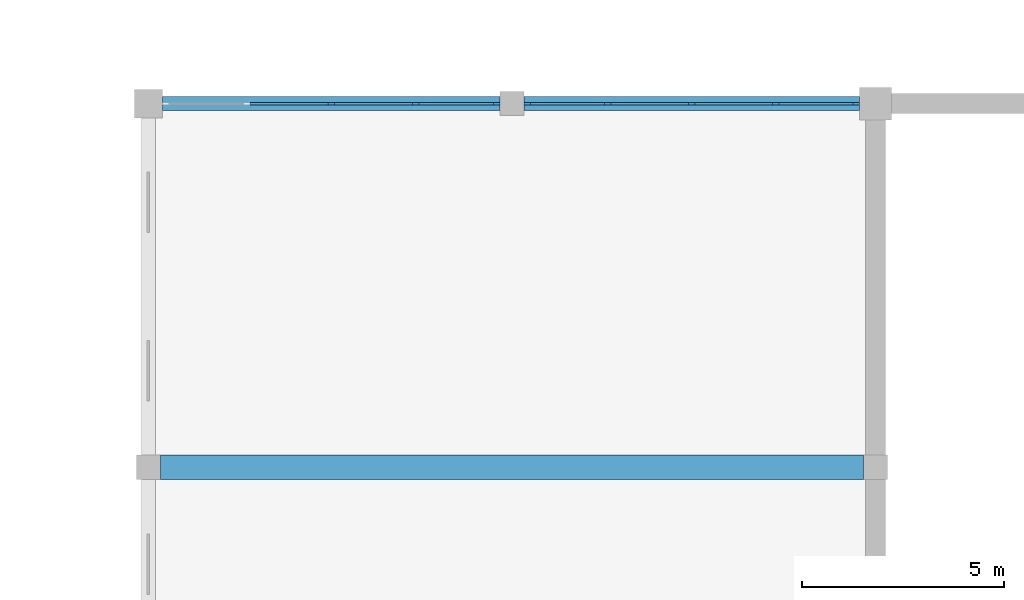
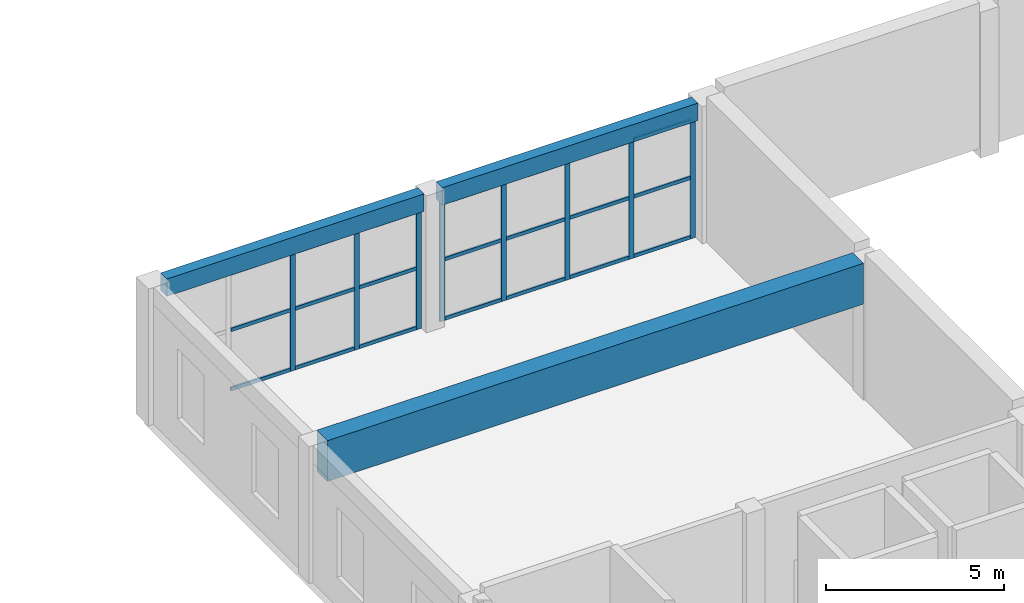
# One storey, part 10 of 34: 29 members, 3 beams, 2 elements without a shape of their own.
"""IFC4 building model written with IfcOpenShell, lengths in metres."""

from ifc_helpers import new_model, si_unit, direction, frame, origin, origin_2d, place, context, subcontext, project, spatial, rectangle, extrude, material, material_profile, profile_set, type_object, element, aggregate, save


model = new_model("IFC4")

# Units and contexts
model_context = context("Model", 3, precision=1e-05, world=origin(), true_north=direction((0.0, 1.0)))
body_context = subcontext(model_context, "Body", "Model", "MODEL_VIEW")
ifc_project = project(units=[si_unit("LENGTHUNIT", "METRE"), si_unit("AREAUNIT", "SQUARE_METRE"), si_unit("VOLUMEUNIT", "CUBIC_METRE"), si_unit("PLANEANGLEUNIT", "RADIAN"), si_unit("MASSUNIT", "GRAM", prefix="KILO")], contexts=[model_context])

# Site, building, storey
site_placement = place(None, origin())
site = spatial("IfcSite", under=ifc_project, at=site_placement, CompositionType="ELEMENT")
building_placement = place(site_placement, origin())
building = spatial("IfcBuilding", under=site, at=building_placement, Name="Firuza Court", CompositionType="ELEMENT")
storey_placement = place(building_placement, frame((0.0, 0.0, 14.0)))
storey = spatial("IfcBuildingStorey", under=building, at=storey_placement, Name="L02", CompositionType="ELEMENT", Elevation=14.0)

# Curtain wall, members
ifc_material_1 = material(Name="Aluminium", Category="aluminium")
curtain_wall_type = type_object("IfcCurtainWallType", Name="CW6 FOYER CURTAIN WALL", PredefinedType="NOTDEFINED", material=ifc_material_1)
curtain_wall_1_placement = place(storey_placement, origin())
curtain_wall_1 = element("IfcCurtainWall", 1, at=curtain_wall_1_placement, inside=storey, type_object=curtain_wall_type, Name="CW6 foyer curtain wall 7", PredefinedType="NOTDEFINED")
ifc_material_2 = material(Name="Aluminium", Category="aluminium")
ifc_material_profile_1 = material_profile(ifc_material_2, rectangle(XDim=0.06005859375, YDim=0.159912109375, at=origin_2d()), Name="MULLION 60X160")
ifc_profile_set_1 = profile_set([ifc_material_profile_1], Name="Aluminium")
member_type_1 = type_object("IfcMemberType", Name="CW6 MULLION 60X160", PredefinedType="MULLION", material=ifc_profile_set_1)
member_1_placement = place(storey_placement, frame((94.52490234375, 45.0, 0.0), z_axis=(0.0, 0.0, 1.0), x_axis=(0.0, 1.0, 0.0)))
member_1 = element("IfcMember", 2, at=member_1_placement, type_object=member_type_1, Name="CW6 mullion 3", PredefinedType="MULLION", context=body_context, shape_type="SweptSolid", body=[
    extrude(rectangle(XDim=0.06005859375, YDim=0.159912109375, at=origin_2d()), origin(), (0.0, 0.0, 1.0), 4.10009765625),
])
member_2_placement = place(storey_placement, frame((96.612548828125, 45.0, 0.0), z_axis=(0.0, 0.0, 1.0), x_axis=(0.0, 1.0, 0.0)))
member_2 = element("IfcMember", 3, at=member_2_placement, type_object=member_type_1, Name="CW6 mullion 4", PredefinedType="MULLION", context=body_context, shape_type="SweptSolid", body=[
    extrude(rectangle(XDim=0.06005859375, YDim=0.159912109375, at=origin_2d()), origin(), (0.0, 0.0, 1.0), 4.10009765625),
])
member_3_placement = place(storey_placement, frame((98.6201171875, 45.0, 0.0), z_axis=(0.0, 0.0, 1.0), x_axis=(0.0, 1.0, 0.0)))
member_3 = element("IfcMember", 4, at=member_3_placement, type_object=member_type_1, Name="CW6 mullion 5", PredefinedType="MULLION", context=body_context, shape_type="SweptSolid", body=[
    extrude(rectangle(XDim=0.06005859375, YDim=0.159912109375, at=origin_2d()), origin(), (0.0, 0.0, 1.0), 4.10009765625),
])

curtain_wall_2_placement = place(storey_placement, origin())
curtain_wall_2 = element("IfcCurtainWall", 5, at=curtain_wall_2_placement, inside=storey, type_object=curtain_wall_type, Name="CW6 foyer curtain wall 8", PredefinedType="NOTDEFINED")
member_4_placement = place(storey_placement, frame((99.3798828125, 45.0, 0.0), z_axis=(0.0, 0.0, 1.0), x_axis=(0.0, 1.0, 0.0)))
member_4 = element("IfcMember", 6, at=member_4_placement, type_object=member_type_1, Name="CW6 mullion 1", PredefinedType="MULLION", context=body_context, shape_type="SweptSolid", body=[
    extrude(rectangle(XDim=0.06005859375, YDim=0.159912109375, at=origin_2d()), origin(), (0.0, 0.0, 1.0), 4.10009765625),
])
member_5_placement = place(storey_placement, frame((101.375, 45.0, 0.0), z_axis=(0.0, 0.0, 1.0), x_axis=(0.0, 1.0, 0.0)))
member_5 = element("IfcMember", 7, at=member_5_placement, type_object=member_type_1, Name="CW6 mullion 2", PredefinedType="MULLION", context=body_context, shape_type="SweptSolid", body=[
    extrude(rectangle(XDim=0.06005859375, YDim=0.159912109375, at=origin_2d()), origin(), (0.0, 0.0, 1.0), 4.10009765625),
])
member_6_placement = place(storey_placement, frame((103.449951171875, 45.0, 0.0), z_axis=(0.0, 0.0, 1.0), x_axis=(0.0, 1.0, 0.0)))
member_6 = element("IfcMember", 8, at=member_6_placement, type_object=member_type_1, Name="CW6 mullion 3", PredefinedType="MULLION", context=body_context, shape_type="SweptSolid", body=[
    extrude(rectangle(XDim=0.06005859375, YDim=0.159912109375, at=origin_2d()), origin(), (0.0, 0.0, 1.0), 4.10009765625),
])
member_7_placement = place(storey_placement, frame((105.52490234375, 45.0, 0.0), z_axis=(0.0, 0.0, 1.0), x_axis=(0.0, 1.0, 0.0)))
member_7 = element("IfcMember", 9, at=member_7_placement, type_object=member_type_1, Name="CW6 mullion 4", PredefinedType="MULLION", context=body_context, shape_type="SweptSolid", body=[
    extrude(rectangle(XDim=0.06005859375, YDim=0.159912109375, at=origin_2d()), origin(), (0.0, 0.0, 1.0), 4.10009765625),
])
member_8_placement = place(storey_placement, frame((107.52001953125, 45.0, 0.0), z_axis=(0.0, 0.0, 1.0), x_axis=(0.0, 1.0, 0.0)))
member_8 = element("IfcMember", 10, at=member_8_placement, type_object=member_type_1, Name="CW6 mullion 5", PredefinedType="MULLION", context=body_context, shape_type="SweptSolid", body=[
    extrude(rectangle(XDim=0.06005859375, YDim=0.159912109375, at=origin_2d()), origin(), (0.0, 0.0, 1.0), 4.10009765625),
])

# Member
ifc_material_3 = material(Name="Aluminium", Category="aluminium")
ifc_material_profile_2 = material_profile(ifc_material_3, rectangle(XDim=0.06005859375, YDim=0.1201171875, at=origin_2d()), Name="TRANSOM 60X120")
ifc_profile_set_2 = profile_set([ifc_material_profile_2], Name="Aluminium")
member_type_2 = type_object("IfcMemberType", Name="CW6 TRANSOM 60X120", PredefinedType="USERDEFINED", material=ifc_profile_set_2)
member_9_placement = place(storey_placement, frame((92.517578125, 45.0, 0.06005859375), z_axis=(1.0, 0.0, 0.0), x_axis=(0.0, 1.0, 0.0)))
member_9 = element("IfcMember", 11, at=member_9_placement, type_object=member_type_2, Name="CW6 transom 2.1", ObjectType="TRANSOM", PredefinedType="USERDEFINED", context=body_context, shape_type="SweptSolid", body=[
    extrude(rectangle(XDim=0.06005859375, YDim=0.1201171875, at=origin_2d()), origin(), (0.0, 0.0, 1.0), 1.927490234375),
])

member_10_placement = place(storey_placement, frame((92.517578125, 45.0, 2.10009765625), z_axis=(1.0, 0.0, 0.0), x_axis=(0.0, 1.0, 0.0)))
member_10 = element("IfcMember", 12, at=member_10_placement, type_object=member_type_2, Name="CW6 transom 2.2", ObjectType="TRANSOM", PredefinedType="USERDEFINED", context=body_context, shape_type="SweptSolid", body=[
    extrude(rectangle(XDim=0.06005859375, YDim=0.1201171875, at=origin_2d()), origin(), (0.0, 0.0, 1.0), 1.927490234375),
])

member_11_placement = place(storey_placement, frame((92.517578125, 45.0, 4.0400390625), z_axis=(1.0, 0.0, 0.0), x_axis=(0.0, 1.0, 0.0)))
member_11 = element("IfcMember", 13, at=member_11_placement, type_object=member_type_2, Name="CW6 transom 2.3", ObjectType="TRANSOM", PredefinedType="USERDEFINED", context=body_context, shape_type="SweptSolid", body=[
    extrude(rectangle(XDim=0.06005859375, YDim=0.1201171875, at=origin_2d()), origin(), (0.0, 0.0, 1.0), 1.927490234375),
])

member_12_placement = place(storey_placement, frame((94.60498046875, 45.0, 0.06005859375), z_axis=(1.0, 0.0, 0.0), x_axis=(0.0, 1.0, 0.0)))
member_12 = element("IfcMember", 14, at=member_12_placement, type_object=member_type_2, Name="CW6 transom 3.1", ObjectType="TRANSOM", PredefinedType="USERDEFINED", context=body_context, shape_type="SweptSolid", body=[
    extrude(rectangle(XDim=0.06005859375, YDim=0.1201171875, at=origin_2d()), origin(), (0.0, 0.0, 1.0), 1.927490234375),
])

member_13_placement = place(storey_placement, frame((94.60498046875, 45.0, 2.10009765625), z_axis=(1.0, 0.0, 0.0), x_axis=(0.0, 1.0, 0.0)))
member_13 = element("IfcMember", 15, at=member_13_placement, type_object=member_type_2, Name="CW6 transom 3.2", ObjectType="TRANSOM", PredefinedType="USERDEFINED", context=body_context, shape_type="SweptSolid", body=[
    extrude(rectangle(XDim=0.06005859375, YDim=0.1201171875, at=origin_2d()), origin(), (0.0, 0.0, 1.0), 1.927490234375),
])

member_14_placement = place(storey_placement, frame((94.60498046875, 45.0, 4.0400390625), z_axis=(1.0, 0.0, 0.0), x_axis=(0.0, 1.0, 0.0)))
member_14 = element("IfcMember", 16, at=member_14_placement, type_object=member_type_2, Name="CW6 transom 3.3", ObjectType="TRANSOM", PredefinedType="USERDEFINED", context=body_context, shape_type="SweptSolid", body=[
    extrude(rectangle(XDim=0.06005859375, YDim=0.1201171875, at=origin_2d()), origin(), (0.0, 0.0, 1.0), 1.927490234375),
])

member_15_placement = place(storey_placement, frame((96.6923828125, 45.0, 0.06005859375), z_axis=(1.0, 0.0, 0.0), x_axis=(0.0, 1.0, 0.0)))
member_15 = element("IfcMember", 17, at=member_15_placement, type_object=member_type_2, Name="CW6 transom 4.1", ObjectType="TRANSOM", PredefinedType="USERDEFINED", context=body_context, shape_type="SweptSolid", body=[
    extrude(rectangle(XDim=0.06005859375, YDim=0.1201171875, at=origin_2d()), origin(), (0.0, 0.0, 1.0), 1.84765625),
])

member_16_placement = place(storey_placement, frame((96.6923828125, 45.0, 2.10009765625), z_axis=(1.0, 0.0, 0.0), x_axis=(0.0, 1.0, 0.0)))
member_16 = element("IfcMember", 18, at=member_16_placement, type_object=member_type_2, Name="CW6 transom 4.2", ObjectType="TRANSOM", PredefinedType="USERDEFINED", context=body_context, shape_type="SweptSolid", body=[
    extrude(rectangle(XDim=0.06005859375, YDim=0.1201171875, at=origin_2d()), origin(), (0.0, 0.0, 1.0), 1.84765625),
])

member_17_placement = place(storey_placement, frame((96.6923828125, 45.0, 4.0400390625), z_axis=(1.0, 0.0, 0.0), x_axis=(0.0, 1.0, 0.0)))
member_17 = element("IfcMember", 19, at=member_17_placement, type_object=member_type_2, Name="CW6 transom 4.3", ObjectType="TRANSOM", PredefinedType="USERDEFINED", context=body_context, shape_type="SweptSolid", body=[
    extrude(rectangle(XDim=0.06005859375, YDim=0.1201171875, at=origin_2d()), origin(), (0.0, 0.0, 1.0), 1.84765625),
])

aggregate(curtain_wall_1, [member_1, member_2, member_3, member_9, member_10, member_11, member_12, member_13, member_14, member_15, member_16, member_17])

member_18_placement = place(storey_placement, frame((99.4599609375, 45.0, 0.06005859375), z_axis=(1.0, 0.0, 0.0), x_axis=(0.0, 1.0, 0.0)))
member_18 = element("IfcMember", 20, at=member_18_placement, type_object=member_type_2, Name="CW6 transom 1.1", ObjectType="TRANSOM", PredefinedType="USERDEFINED", context=body_context, shape_type="SweptSolid", body=[
    extrude(rectangle(XDim=0.06005859375, YDim=0.1201171875, at=origin_2d()), origin(), (0.0, 0.0, 1.0), 1.8349609375),
])

member_19_placement = place(storey_placement, frame((99.4599609375, 45.0, 2.10009765625), z_axis=(1.0, 0.0, 0.0), x_axis=(0.0, 1.0, 0.0)))
member_19 = element("IfcMember", 21, at=member_19_placement, type_object=member_type_2, Name="CW6 transom 1.2", ObjectType="TRANSOM", PredefinedType="USERDEFINED", context=body_context, shape_type="SweptSolid", body=[
    extrude(rectangle(XDim=0.06005859375, YDim=0.1201171875, at=origin_2d()), origin(), (0.0, 0.0, 1.0), 1.8349609375),
])

member_20_placement = place(storey_placement, frame((99.4599609375, 45.0, 4.0400390625), z_axis=(1.0, 0.0, 0.0), x_axis=(0.0, 1.0, 0.0)))
member_20 = element("IfcMember", 22, at=member_20_placement, type_object=member_type_2, Name="CW6 transom 1.3", ObjectType="TRANSOM", PredefinedType="USERDEFINED", context=body_context, shape_type="SweptSolid", body=[
    extrude(rectangle(XDim=0.06005859375, YDim=0.1201171875, at=origin_2d()), origin(), (0.0, 0.0, 1.0), 1.8349609375),
])

member_21_placement = place(storey_placement, frame((101.455078125, 45.0, 0.06005859375), z_axis=(1.0, 0.0, 0.0), x_axis=(0.0, 1.0, 0.0)))
member_21 = element("IfcMember", 23, at=member_21_placement, type_object=member_type_2, Name="CW6 transom 2.1", ObjectType="TRANSOM", PredefinedType="USERDEFINED", context=body_context, shape_type="SweptSolid", body=[
    extrude(rectangle(XDim=0.06005859375, YDim=0.1201171875, at=origin_2d()), origin(), (0.0, 0.0, 1.0), 1.9150390625),
])

member_22_placement = place(storey_placement, frame((101.455078125, 45.0, 2.10009765625), z_axis=(1.0, 0.0, 0.0), x_axis=(0.0, 1.0, 0.0)))
member_22 = element("IfcMember", 24, at=member_22_placement, type_object=member_type_2, Name="CW6 transom 2.2", ObjectType="TRANSOM", PredefinedType="USERDEFINED", context=body_context, shape_type="SweptSolid", body=[
    extrude(rectangle(XDim=0.06005859375, YDim=0.1201171875, at=origin_2d()), origin(), (0.0, 0.0, 1.0), 1.9150390625),
])

member_23_placement = place(storey_placement, frame((101.455078125, 45.0, 4.0400390625), z_axis=(1.0, 0.0, 0.0), x_axis=(0.0, 1.0, 0.0)))
member_23 = element("IfcMember", 25, at=member_23_placement, type_object=member_type_2, Name="CW6 transom 2.3", ObjectType="TRANSOM", PredefinedType="USERDEFINED", context=body_context, shape_type="SweptSolid", body=[
    extrude(rectangle(XDim=0.06005859375, YDim=0.1201171875, at=origin_2d()), origin(), (0.0, 0.0, 1.0), 1.9150390625),
])

member_24_placement = place(storey_placement, frame((103.530029296875, 45.0, 0.06005859375), z_axis=(1.0, 0.0, 0.0), x_axis=(0.0, 1.0, 0.0)))
member_24 = element("IfcMember", 26, at=member_24_placement, type_object=member_type_2, Name="CW6 transom 3.1", ObjectType="TRANSOM", PredefinedType="USERDEFINED", context=body_context, shape_type="SweptSolid", body=[
    extrude(rectangle(XDim=0.06005859375, YDim=0.1201171875, at=origin_2d()), origin(), (0.0, 0.0, 1.0), 1.9150390625),
])

member_25_placement = place(storey_placement, frame((103.530029296875, 45.0, 2.10009765625), z_axis=(1.0, 0.0, 0.0), x_axis=(0.0, 1.0, 0.0)))
member_25 = element("IfcMember", 27, at=member_25_placement, type_object=member_type_2, Name="CW6 transom 3.2", ObjectType="TRANSOM", PredefinedType="USERDEFINED", context=body_context, shape_type="SweptSolid", body=[
    extrude(rectangle(XDim=0.06005859375, YDim=0.1201171875, at=origin_2d()), origin(), (0.0, 0.0, 1.0), 1.9150390625),
])

member_26_placement = place(storey_placement, frame((103.530029296875, 45.0, 4.0400390625), z_axis=(1.0, 0.0, 0.0), x_axis=(0.0, 1.0, 0.0)))
member_26 = element("IfcMember", 28, at=member_26_placement, type_object=member_type_2, Name="CW6 transom 3.3", ObjectType="TRANSOM", PredefinedType="USERDEFINED", context=body_context, shape_type="SweptSolid", body=[
    extrude(rectangle(XDim=0.06005859375, YDim=0.1201171875, at=origin_2d()), origin(), (0.0, 0.0, 1.0), 1.9150390625),
])

member_27_placement = place(storey_placement, frame((105.60498046875, 45.0, 0.06005859375), z_axis=(1.0, 0.0, 0.0), x_axis=(0.0, 1.0, 0.0)))
member_27 = element("IfcMember", 29, at=member_27_placement, type_object=member_type_2, Name="CW6 transom 4.1", ObjectType="TRANSOM", PredefinedType="USERDEFINED", context=body_context, shape_type="SweptSolid", body=[
    extrude(rectangle(XDim=0.06005859375, YDim=0.1201171875, at=origin_2d()), origin(), (0.0, 0.0, 1.0), 1.8349609375),
])

member_28_placement = place(storey_placement, frame((105.60498046875, 45.0, 2.10009765625), z_axis=(1.0, 0.0, 0.0), x_axis=(0.0, 1.0, 0.0)))
member_28 = element("IfcMember", 30, at=member_28_placement, type_object=member_type_2, Name="CW6 transom 4.2", ObjectType="TRANSOM", PredefinedType="USERDEFINED", context=body_context, shape_type="SweptSolid", body=[
    extrude(rectangle(XDim=0.06005859375, YDim=0.1201171875, at=origin_2d()), origin(), (0.0, 0.0, 1.0), 1.8349609375),
])

member_29_placement = place(storey_placement, frame((105.60498046875, 45.0, 4.0400390625), z_axis=(1.0, 0.0, 0.0), x_axis=(0.0, 1.0, 0.0)))
member_29 = element("IfcMember", 31, at=member_29_placement, type_object=member_type_2, Name="CW6 transom 4.3", ObjectType="TRANSOM", PredefinedType="USERDEFINED", context=body_context, shape_type="SweptSolid", body=[
    extrude(rectangle(XDim=0.06005859375, YDim=0.1201171875, at=origin_2d()), origin(), (0.0, 0.0, 1.0), 1.8349609375),
])

aggregate(curtain_wall_2, [member_4, member_5, member_6, member_7, member_8, member_18, member_19, member_20, member_21, member_22, member_23, member_24, member_25, member_26, member_27, member_28, member_29])

# Beams
ifc_material_4 = material(Name="Concrete C40/50", Category="concrete")
ifc_material_profile_3 = material_profile(ifc_material_4, rectangle(XDim=0.60009765625, YDim=1.39990234375, at=origin_2d()), Name="RC 600X1400")
ifc_profile_set_3 = profile_set([ifc_material_profile_3], Name="Concrete C40/50")
beam_type_1 = type_object("IfcBeamType", Name="RC GIRDER 600X1400", PredefinedType="BEAM", material=ifc_profile_set_3)
beam_1_placement = place(storey_placement, frame((90.300537109375, 36.0, 4.0), z_axis=(1.0, 0.0, 0.0), x_axis=(0.0, 1.0, 0.0)))
element("IfcBeam", 32, at=beam_1_placement, inside=storey, type_object=beam_type_1, Name="Girder 36 L02", PredefinedType="BEAM", context=body_context, shape_type="SweptSolid", body=[
    extrude(rectangle(XDim=0.60009765625, YDim=1.39990234375, at=origin_2d()), origin(), (0.0, 0.0, 1.0), 17.39892578125),
])
ifc_material_5 = material(Name="Concrete C40/50", Category="concrete")
ifc_material_profile_4 = material_profile(ifc_material_5, rectangle(XDim=0.35009765625, YDim=0.60009765625, at=origin_2d()), Name="RC 350X600")
ifc_profile_set_4 = profile_set([ifc_material_profile_4], Name="Concrete C40/50")
beam_type_2 = type_object("IfcBeamType", Name="RC SPANDREL BEAM 350X600", PredefinedType="BEAM", material=ifc_profile_set_4)
beam_2_placement = place(storey_placement, frame((90.35009765625, 45.0, 4.39990234375), z_axis=(1.0, 0.0, 0.0), x_axis=(0.0, 1.0, 0.0)))
element("IfcBeam", 33, at=beam_2_placement, inside=storey, type_object=beam_type_2, Name="Edge beam N2.1 L02", PredefinedType="BEAM", context=body_context, shape_type="SweptSolid", body=[
    extrude(rectangle(XDim=0.35009765625, YDim=0.60009765625, at=origin_2d()), origin(), (0.0, 0.0, 1.0), 8.349853515625),
])
beam_3_placement = place(storey_placement, frame((99.300048828125, 45.0, 4.39990234375), z_axis=(1.0, 0.0, 0.0), x_axis=(0.0, 1.0, 0.0)))
element("IfcBeam", 34, at=beam_3_placement, inside=storey, type_object=beam_type_2, Name="Edge beam N4.1 L02", PredefinedType="BEAM", context=body_context, shape_type="SweptSolid", body=[
    extrude(rectangle(XDim=0.35009765625, YDim=0.60009765625, at=origin_2d()), origin(), (0.0, 0.0, 1.0), 8.300048828125),
])

save(model, "model.ifc")
